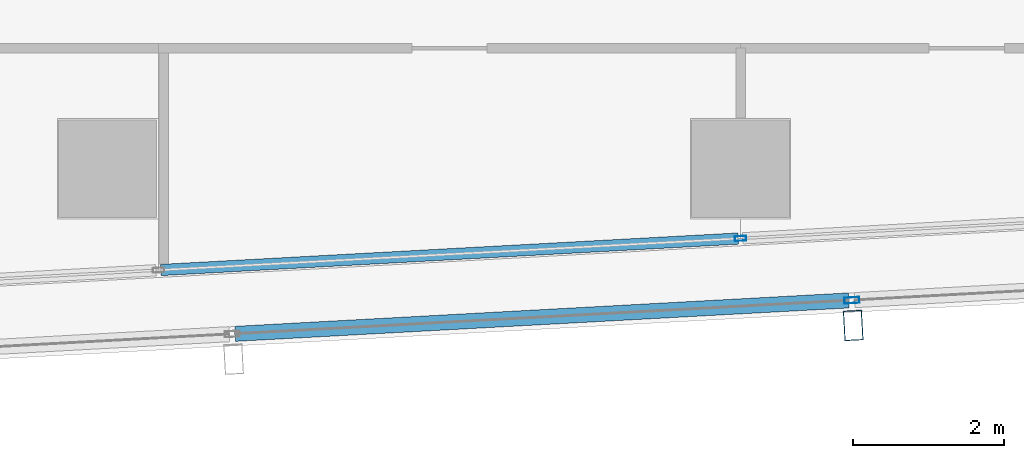
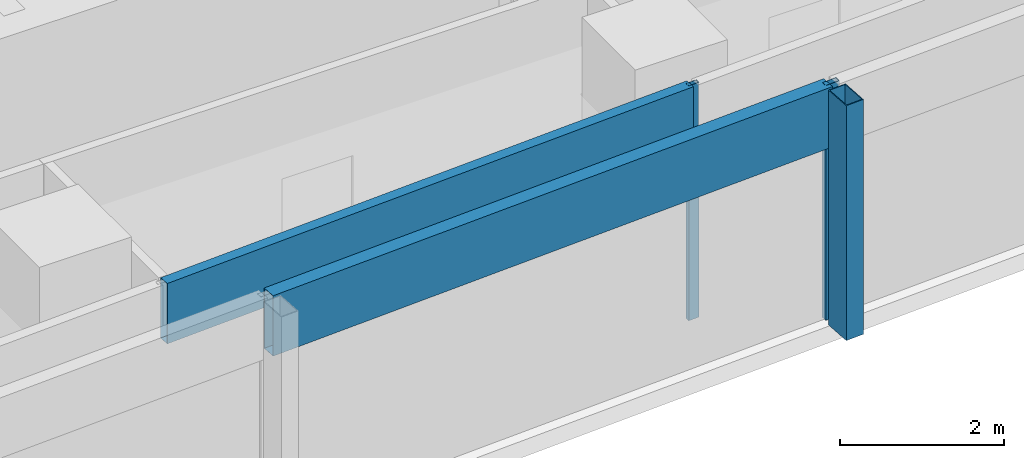
# One storey, part 10 of 30: 5 members, 2 elements without a shape of their own.
"""IFC4 building model written with IfcOpenShell, lengths in metres."""

from ifc_helpers import new_model, si_unit, direction, frame, origin, origin_2d, place, context, subcontext, project, spatial, hollow_rectangle, extrude, material, material_profile, profile_set, type_object, element, aggregate, save


model = new_model("IFC4")

# Units and contexts
model_context = context("Model", 3, precision=1e-05, world=origin(), true_north=direction((0.0, 1.0)))
body_context = subcontext(model_context, "Body", "Model", "MODEL_VIEW")
ifc_project = project(units=[si_unit("LENGTHUNIT", "METRE"), si_unit("AREAUNIT", "SQUARE_METRE"), si_unit("VOLUMEUNIT", "CUBIC_METRE"), si_unit("PLANEANGLEUNIT", "RADIAN"), si_unit("MASSUNIT", "GRAM", prefix="KILO")], contexts=[model_context])

# Site, building, storey
site_placement = place(None, origin())
site = spatial("IfcSite", under=ifc_project, at=site_placement, CompositionType="ELEMENT")
building_placement = place(site_placement, origin())
building = spatial("IfcBuilding", under=site, at=building_placement, Name="Rekha Terrace Tower", CompositionType="ELEMENT")
storey_placement = place(building_placement, frame((0.0, 0.0, 265.10009765625)))
storey = spatial("IfcBuildingStorey", under=building, at=storey_placement, Name="L67", CompositionType="ELEMENT", Elevation=265.10009765625)

# Curtain wall, member
ifc_material_1 = material(Name="Aluminium framing", Category="aluminium")
curtain_wall_type_1 = type_object("IfcCurtainWallType", Name="CW2 double skin outer glazing", PredefinedType="USERDEFINED", material=ifc_material_1)
curtain_wall_1_placement = place(storey_placement, origin())
curtain_wall_1 = element("IfcCurtainWall", 1, at=curtain_wall_1_placement, inside=storey, type_object=curtain_wall_type_1, Name="CW2 double skin outer glazing", ObjectType="DOUBLE SKIN OUTER GLAZING", PredefinedType="USERDEFINED")
ifc_material_2 = material(Name="Steel S355 with fluorocarbon finish", Category="steel")
ifc_material_profile_1 = material_profile(ifc_material_2, hollow_rectangle(XDim=0.25, YDim=0.39990234375, WallThickness=0.012451171875, at=origin_2d()), Name="RHS400x250x12.5")
ifc_profile_set_1 = profile_set([ifc_material_profile_1], Name="Steel S355 with fluorocarbon finish")
member_type_1 = type_object("IfcMemberType", Name="BL1 facade blade RHS 400 x 250", PredefinedType="USERDEFINED", material=ifc_profile_set_1)
member_1_placement = place(storey_placement, frame((51.894775390625, 14.719482421875, 0.0), z_axis=(0.0, 0.0, 1.0), x_axis=(0.99851982155, 0.054389024366, 0.0)))
member_1 = element("IfcMember", 2, at=member_1_placement, type_object=member_type_1, Name="Facade blade", ObjectType="FACADE BLADE", PredefinedType="USERDEFINED", context=body_context, shape_type="SweptSolid", body=[
    extrude(hollow_rectangle(XDim=0.25, YDim=0.39990234375, WallThickness=0.012451171875, at=origin_2d()), origin(), (0.0, 0.0, 1.0), 3.5),
])

# Curtain wall, members
curtain_wall_type_2 = type_object("IfcCurtainWallType", Name="CW1 double skin inner glazing", PredefinedType="USERDEFINED", material=ifc_material_1)
curtain_wall_2_placement = place(storey_placement, origin())
curtain_wall_2 = element("IfcCurtainWall", 3, at=curtain_wall_2_placement, inside=storey, type_object=curtain_wall_type_2, Name="CW1 double skin inner glazing", ObjectType="DOUBLE SKIN INNER GLAZING", PredefinedType="USERDEFINED")
ifc_material_3 = material(Name="Aluminium mullion section", Category="aluminium")
ifc_material_profile_2 = material_profile(ifc_material_3, hollow_rectangle(XDim=0.06494140625, YDim=0.14990234375, WallThickness=0.00390625, at=origin_2d()), Name="AL RHS 65x150")
ifc_profile_set_2 = profile_set([ifc_material_profile_2], Name="Aluminium mullion section")
member_type_2 = type_object("IfcMemberType", Name="CW1 mullion RHS 65 x 150", PredefinedType="MULLION", material=ifc_profile_set_2)
member_2_placement = place(storey_placement, frame((50.399169921875, 15.875, 0.0), z_axis=(0.0, 0.0, 1.0), x_axis=(-0.054388903036, 0.998519828159, 0.0)))
member_2 = element("IfcMember", 4, at=member_2_placement, type_object=member_type_2, Name="CW1 mullion 4", PredefinedType="MULLION", context=body_context, shape_type="SweptSolid", body=[
    extrude(hollow_rectangle(XDim=0.06494140625, YDim=0.14990234375, WallThickness=0.00390625, at=origin_2d()), origin(), (0.0, 0.0, 1.0), 3.5),
])
ifc_material_4 = material(Name="Insulated aluminium spandrel box", Category="aluminium")
ifc_material_profile_3 = material_profile(ifc_material_4, hollow_rectangle(XDim=0.14990234375, YDim=0.89990234375, WallThickness=0.0029296875, at=origin_2d()), Name="AL SPANDREL BOX 150x900")
ifc_profile_set_3 = profile_set([ifc_material_profile_3], Name="Insulated aluminium spandrel box")
member_type_3 = type_object("IfcMemberType", Name="CW1 spandrel transom 150 x 900", PredefinedType="USERDEFINED", material=ifc_profile_set_3)
member_3_placement = place(storey_placement, frame((42.7060546875, 15.4560546875, 3.0498046875), z_axis=(0.998520078442, 0.054384307925, 0.0), x_axis=(-0.054384307925, 0.998520078442, 0.0)))
member_3 = element("IfcMember", 5, at=member_3_placement, type_object=member_type_3, Name="CW1 spandrel transom 3", ObjectType="TRANSOM", PredefinedType="USERDEFINED", context=body_context, shape_type="SweptSolid", body=[
    extrude(hollow_rectangle(XDim=0.14990234375, YDim=0.89990234375, WallThickness=0.0029296875, at=origin_2d()), origin(), (0.0, 0.0, 1.0), 7.672119140625),
])
aggregate(curtain_wall_2, [member_2, member_3])

# Member
ifc_material_profile_4 = material_profile(ifc_material_3, hollow_rectangle(XDim=0.080078125, YDim=0.199951171875, WallThickness=0.00390625, at=origin_2d()), Name="AL RHS 80x200")
ifc_profile_set_4 = profile_set([ifc_material_profile_4], Name="Aluminium mullion section")
member_type_4 = type_object("IfcMemberType", Name="CW2 mullion RHS 80 x 200", PredefinedType="MULLION", material=ifc_profile_set_4)
member_4_placement = place(storey_placement, frame((51.87646484375, 15.05419921875, 0.0), z_axis=(0.0, 0.0, 1.0), x_axis=(-0.054388903071, 0.998519828157, 0.0)))
member_4 = element("IfcMember", 6, at=member_4_placement, type_object=member_type_4, Name="CW2 mullion 4", PredefinedType="MULLION", context=body_context, shape_type="SweptSolid", body=[
    extrude(hollow_rectangle(XDim=0.080078125, YDim=0.199951171875, WallThickness=0.00390625, at=origin_2d()), origin(), (0.0, 0.0, 1.0), 3.5),
])

ifc_material_profile_5 = material_profile(ifc_material_4, hollow_rectangle(XDim=0.199951171875, YDim=0.89990234375, WallThickness=0.0029296875, at=origin_2d()), Name="AL SPANDREL BOX 200x900")
ifc_profile_set_5 = profile_set([ifc_material_profile_5], Name="Insulated aluminium spandrel box")
member_type_5 = type_object("IfcMemberType", Name="CW2 spandrel transom 200 x 900", PredefinedType="USERDEFINED", material=ifc_profile_set_5)
member_5_placement = place(storey_placement, frame((43.693115234375, 14.6083984375, 3.0498046875), z_axis=(0.998519642092, 0.054392318914, 0.0), x_axis=(-0.054392318914, 0.998519642092, 0.0)))
member_5 = element("IfcMember", 7, at=member_5_placement, type_object=member_type_5, Name="CW2 spandrel transom 3", ObjectType="TRANSOM", PredefinedType="USERDEFINED", context=body_context, shape_type="SweptSolid", body=[
    extrude(hollow_rectangle(XDim=0.199951171875, YDim=0.89990234375, WallThickness=0.0029296875, at=origin_2d()), origin(), (0.0, 0.0, 1.0), 8.155517578125),
])

aggregate(curtain_wall_1, [member_4, member_5, member_1])

save(model, "model.ifc")
